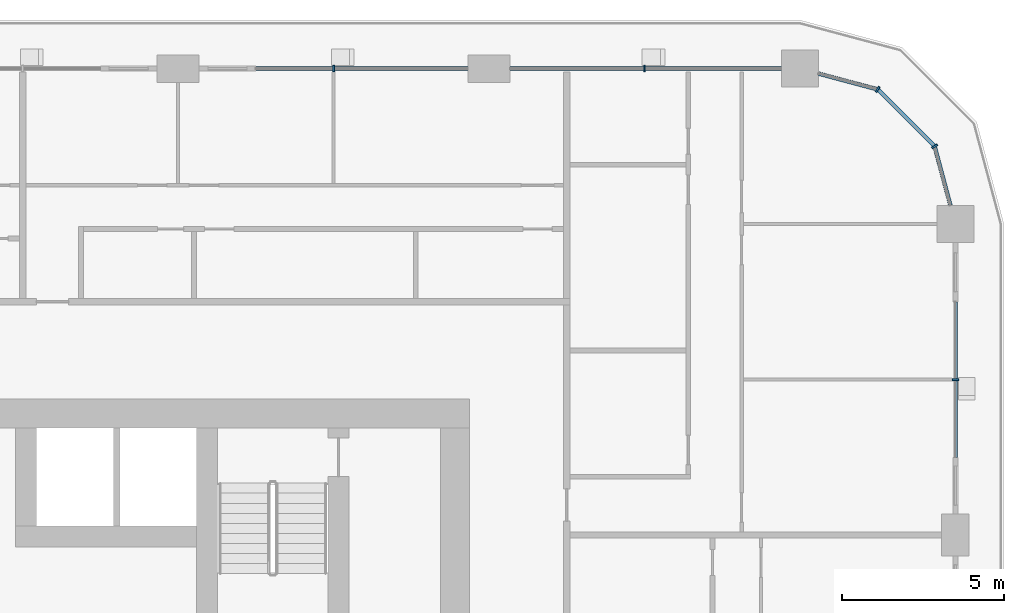
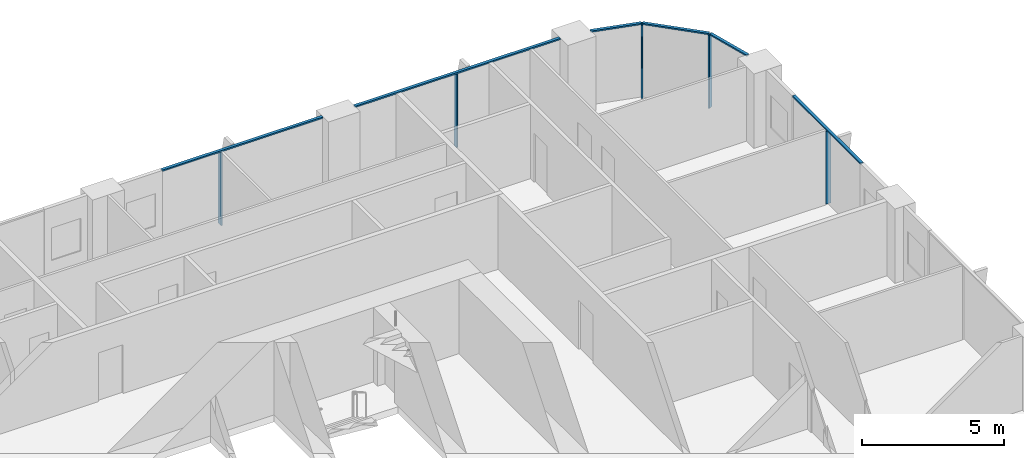
# One storey, part 6 of 22: 11 members, 4 elements without a shape of their own.
"""IFC4 building model written with IfcOpenShell, lengths in metres."""

from ifc_helpers import new_model, si_unit, direction, frame, origin, origin_2d, place, context, subcontext, project, spatial, rectangle, extrude, material, layer, layer_set, material_profile, profile_set, type_object, element, aggregate, save


model = new_model("IFC4")

# Units and contexts
model_context = context("Model", 3, precision=1e-05, world=origin(), true_north=direction((0.0, 1.0)))
body_context = subcontext(model_context, "Body", "Model", "MODEL_VIEW")
ifc_project = project(units=[si_unit("LENGTHUNIT", "METRE"), si_unit("AREAUNIT", "SQUARE_METRE"), si_unit("VOLUMEUNIT", "CUBIC_METRE"), si_unit("PLANEANGLEUNIT", "RADIAN"), si_unit("MASSUNIT", "GRAM", prefix="KILO")], contexts=[model_context])

# Site, building, storey
site_placement = place(None, origin())
site = spatial("IfcSite", under=ifc_project, at=site_placement, CompositionType="ELEMENT")
building_placement = place(site_placement, origin())
building = spatial("IfcBuilding", under=site, at=building_placement, Name="Madar Terraces", CompositionType="ELEMENT")
storey_placement = place(building_placement, frame((0.0, 0.0, 69.800048828125)))
storey = spatial("IfcBuildingStorey", under=building, at=storey_placement, Name="L17", CompositionType="ELEMENT", Elevation=69.800048828125)

# Curtain wall, member
ifc_material_1 = material(Name="Glass, ceramic frit dark grey, with black aluminium frame", Category="aluminium")
ifc_layer = layer(ifc_material_1, 0.199951171875)
ifc_layer_set = layer_set([ifc_layer], Name="Facade curtain wall, fritted glass")
curtain_wall_type = type_object("IfcCurtainWallType", Name="Facade curtain wall, fritted glass", PredefinedType="NOTDEFINED", material=ifc_layer_set)
curtain_wall_1_placement = place(storey_placement, origin())
curtain_wall_1 = element("IfcCurtainWall", 1, at=curtain_wall_1_placement, inside=storey, type_object=curtain_wall_type, Name="Outer skin curtain wall east bay 4", PredefinedType="NOTDEFINED")
ifc_material_2 = material(Name="Aluminium, black anodised", Category="aluminium")
ifc_material_profile_1 = material_profile(ifc_material_2, rectangle(XDim=0.199951171875, YDim=0.06005859375, at=origin_2d()), Name="Facade mullion 60x200")
ifc_profile_set_1 = profile_set([ifc_material_profile_1], Name="Aluminium, black anodised")
member_type_1 = type_object("IfcMemberType", Name="Facade mullion 60x200", PredefinedType="MULLION", material=ifc_profile_set_1)
member_1_placement = place(storey_placement, frame((62.39990234375, 38.39990234375, 0.0), z_axis=(0.0, 0.0, 1.0), x_axis=(-1.0, 0.0, 0.0)))
member_1 = element("IfcMember", 2, at=member_1_placement, type_object=member_type_1, Name="Mullion 1", PredefinedType="MULLION", context=body_context, shape_type="SweptSolid", body=[
    extrude(rectangle(XDim=0.199951171875, YDim=0.06005859375, at=origin_2d()), origin(), (0.0, 0.0, 1.0), 3.139892578125),
])

curtain_wall_2_placement = place(storey_placement, origin())
curtain_wall_2 = element("IfcCurtainWall", 3, at=curtain_wall_2_placement, inside=storey, type_object=curtain_wall_type, Name="Outer skin curtain wall north bay 1", PredefinedType="NOTDEFINED")
member_2_placement = place(storey_placement, frame((52.800048828125, 48.0, 0.0), z_axis=(0.0, 0.0, 1.0), x_axis=(0.0, -1.0, 0.0)))
member_2 = element("IfcMember", 4, at=member_2_placement, type_object=member_type_1, Name="Mullion 1", PredefinedType="MULLION", context=body_context, shape_type="SweptSolid", body=[
    extrude(rectangle(XDim=0.199951171875, YDim=0.06005859375, at=origin_2d()), origin(), (0.0, 0.0, 1.0), 3.139892578125),
])

curtain_wall_3_placement = place(storey_placement, origin())
curtain_wall_3 = element("IfcCurtainWall", 5, at=curtain_wall_3_placement, inside=storey, type_object=curtain_wall_type, Name="Outer skin curtain wall north bay 2", PredefinedType="NOTDEFINED")
member_3_placement = place(storey_placement, frame((43.199951171875, 48.0, 0.0), z_axis=(0.0, 0.0, 1.0), x_axis=(0.0, -1.0, 0.0)))
member_3 = element("IfcMember", 6, at=member_3_placement, type_object=member_type_1, Name="Mullion 1", PredefinedType="MULLION", context=body_context, shape_type="SweptSolid", body=[
    extrude(rectangle(XDim=0.199951171875, YDim=0.06005859375, at=origin_2d()), origin(), (0.0, 0.0, 1.0), 3.139892578125),
])

# Curtain wall, members
curtain_wall_4_placement = place(storey_placement, origin())
curtain_wall_4 = element("IfcCurtainWall", 7, at=curtain_wall_4_placement, inside=storey, type_object=curtain_wall_type, Name="Outer skin curtain wall north-east corner", PredefinedType="NOTDEFINED")
member_4_placement = place(storey_placement, frame((61.7568359375, 45.60009765625, 0.0), z_axis=(0.0, 0.0, 1.0), x_axis=(-0.866025409797, -0.499999989586, 0.0)))
member_4 = element("IfcMember", 8, at=member_4_placement, type_object=member_type_1, Name="Mullion 1", PredefinedType="MULLION", context=body_context, shape_type="SweptSolid", body=[
    extrude(rectangle(XDim=0.199951171875, YDim=0.06005859375, at=origin_2d()), origin(), (0.0, 0.0, 1.0), 3.139892578125),
])
member_5_placement = place(storey_placement, frame((60.0, 47.35693359375, 0.0), z_axis=(0.0, 0.0, 1.0), x_axis=(-0.499999989586, -0.866025409797, 0.0)))
member_5 = element("IfcMember", 9, at=member_5_placement, type_object=member_type_1, Name="Mullion 2", PredefinedType="MULLION", context=body_context, shape_type="SweptSolid", body=[
    extrude(rectangle(XDim=0.199951171875, YDim=0.06005859375, at=origin_2d()), origin(), (0.0, 0.0, 1.0), 3.139892578125),
])

# Member
ifc_material_3 = material(Name="Aluminium, black anodised", Category="aluminium")
ifc_material_profile_2 = material_profile(ifc_material_3, rectangle(XDim=0.1201171875, YDim=0.06005859375, at=origin_2d()), Name="Facade transom 60x120")
ifc_profile_set_2 = profile_set([ifc_material_profile_2], Name="Aluminium, black anodised")
member_type_2 = type_object("IfcMemberType", Name="Facade transom 60x120", PredefinedType="USERDEFINED", material=ifc_profile_set_2)
member_6_placement = place(storey_placement, frame((62.39990234375, 36.0, 3.169921875), z_axis=(0.0, 1.0, 0.0), x_axis=(-1.0, 0.0, 0.0)))
member_6 = element("IfcMember", 10, at=member_6_placement, type_object=member_type_2, Name="Transom 1", ObjectType="TRANSOM", PredefinedType="USERDEFINED", context=body_context, shape_type="SweptSolid", body=[
    extrude(rectangle(XDim=0.1201171875, YDim=0.06005859375, at=origin_2d()), origin(), (0.0, 0.0, 1.0), 4.800048828125),
])

aggregate(curtain_wall_1, [member_1, member_6])

member_7_placement = place(storey_placement, frame((57.02490234375, 48.0, 3.169921875), z_axis=(-1.0, 0.0, 0.0), x_axis=(0.0, -1.0, 0.0)))
member_7 = element("IfcMember", 11, at=member_7_placement, type_object=member_type_2, Name="Transom 1", ObjectType="TRANSOM", PredefinedType="USERDEFINED", context=body_context, shape_type="SweptSolid", body=[
    extrude(rectangle(XDim=0.1201171875, YDim=0.06005859375, at=origin_2d()), origin(), (0.0, 0.0, 1.0), 8.375),
])

aggregate(curtain_wall_2, [member_2, member_7])

member_8_placement = place(storey_placement, frame((47.35009765625, 48.0, 3.169921875), z_axis=(-1.0, 0.0, 0.0), x_axis=(0.0, -1.0, 0.0)))
member_8 = element("IfcMember", 12, at=member_8_placement, type_object=member_type_2, Name="Transom 1", ObjectType="TRANSOM", PredefinedType="USERDEFINED", context=body_context, shape_type="SweptSolid", body=[
    extrude(rectangle(XDim=0.1201171875, YDim=0.06005859375, at=origin_2d()), origin(), (0.0, 0.0, 1.0), 6.550048828125),
])

aggregate(curtain_wall_3, [member_3, member_8])

member_9_placement = place(storey_placement, frame((62.245849609375, 43.77490234375, 3.169921875), z_axis=(-0.258782024434, 0.965935745187, 0.0), x_axis=(-0.965935745187, -0.258782024434, 0.0)))
member_9 = element("IfcMember", 13, at=member_9_placement, type_object=member_type_2, Name="Transom 1", ObjectType="TRANSOM", PredefinedType="USERDEFINED", context=body_context, shape_type="SweptSolid", body=[
    extrude(rectangle(XDim=0.1201171875, YDim=0.06005859375, at=origin_2d()), origin(), (0.0, 0.0, 1.0), 1.859375),
])

member_10_placement = place(storey_placement, frame((61.735595703125, 45.62109375, 3.169921875), z_axis=(-0.707056433593, 0.707157125196, 0.0), x_axis=(-0.707157125196, -0.707056433593, 0.0)))
member_10 = element("IfcMember", 14, at=member_10_placement, type_object=member_type_2, Name="Transom 2", ObjectType="TRANSOM", PredefinedType="USERDEFINED", context=body_context, shape_type="SweptSolid", body=[
    extrude(rectangle(XDim=0.1201171875, YDim=0.06005859375, at=origin_2d()), origin(), (0.0, 0.0, 1.0), 2.424560546875),
])

member_11_placement = place(storey_placement, frame((59.970947265625, 47.36474609375, 3.169921875), z_axis=(-0.965926950947, 0.258814847786, 0.0), x_axis=(-0.258814847786, -0.965926950947, 0.0)))
member_11 = element("IfcMember", 15, at=member_11_placement, type_object=member_type_2, Name="Transom 3", ObjectType="TRANSOM", PredefinedType="USERDEFINED", context=body_context, shape_type="SweptSolid", body=[
    extrude(rectangle(XDim=0.1201171875, YDim=0.06005859375, at=origin_2d()), origin(), (0.0, 0.0, 1.0), 1.859130859375),
])

aggregate(curtain_wall_4, [member_4, member_9, member_5, member_10, member_11])

save(model, "model.ifc")
